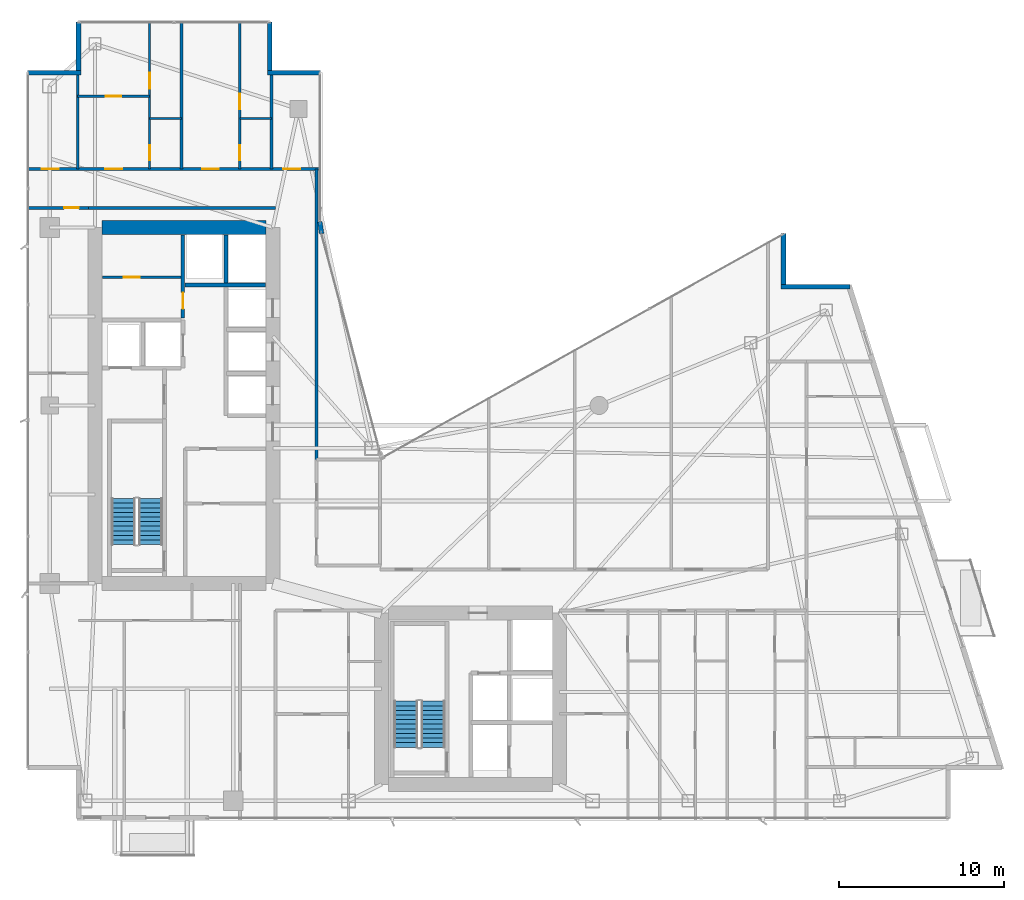
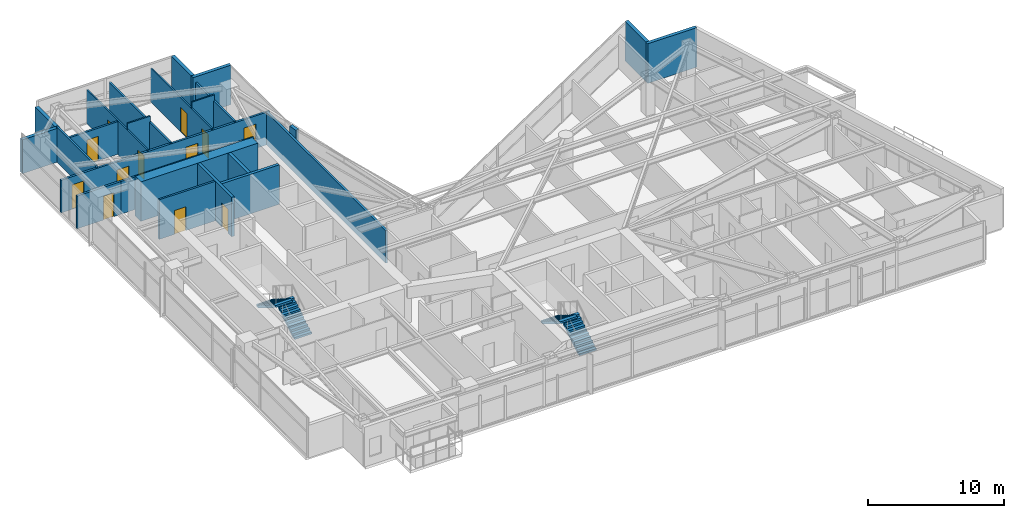
# One storey, part 25 of 28: 24 walls, 12 doors, 4 stair flights, 12 openings, 2 elements without a shape of their own.
"""IFC4 building model written with IfcOpenShell, lengths in metres."""

from ifc_helpers import new_model, si_unit, direction, frame, frame_2d, origin, place, context, subcontext, project, spatial, polyline, rectangle, outline, extrude, material, layer, layer_set, type_object, element, fill, aggregate, save


model = new_model("IFC4")

# Units and contexts
model_context = context("Model", 3, precision=1e-05, world=origin(), true_north=direction((0.0, 1.0)))
body_context = subcontext(model_context, "Body", "Model", "MODEL_VIEW")
ifc_project = project(units=[si_unit("LENGTHUNIT", "METRE"), si_unit("AREAUNIT", "SQUARE_METRE"), si_unit("VOLUMEUNIT", "CUBIC_METRE"), si_unit("PLANEANGLEUNIT", "RADIAN"), si_unit("MASSUNIT", "GRAM", prefix="KILO")], contexts=[model_context])

# Site, building, storey
site_placement = place(None, origin())
site = spatial("IfcSite", under=ifc_project, at=site_placement, CompositionType="ELEMENT")
building_placement = place(site_placement, origin())
building = spatial("IfcBuilding", under=site, at=building_placement, Name="Calvorn Quay Hotel", CompositionType="ELEMENT")
storey_placement = place(building_placement, frame((0.0, 0.0, 178.89990234375)))
storey = spatial("IfcBuildingStorey", under=building, at=storey_placement, Name="L44", CompositionType="ELEMENT", Elevation=178.89990234375)

# Wall
ifc_material_1 = material(Name="Concrete C50", Category="concrete")
ifc_layer_1 = layer(ifc_material_1, 0.85009765625)
ifc_layer_set_1 = layer_set([ifc_layer_1], Name="WL-CORE-850")
wall_type_1 = type_object("IfcWallType", Name="WL-CORE-850", PredefinedType="SHEAR", material=ifc_layer_set_1)
wall_1_placement = place(storey_placement, frame((4.625, 38.39990234375, 0.0), z_axis=(0.0, 0.0, 1.0), x_axis=(1.0, 0.0, 0.0)))
element("IfcWall", 1, at=wall_1_placement, inside=storey, type_object=wall_type_1, Name="West Core Shear Wall N (L44)", PredefinedType="SHEAR", context=body_context, shape_type="SweptSolid", body=[
    extrude(rectangle(XDim=9.949951171875, YDim=0.85009765625, at=frame_2d((4.97509765625, 0.0))), origin(), (0.0, 0.0, 1.0), 3.56005859375),
])

# Wall, opening, door
ifc_material_2 = material(Name="Acoustic Fireboard Steel-Stud Partition", Category="steel")
ifc_layer_2 = layer(ifc_material_2, 0.179931640625)
ifc_layer_set_2 = layer_set([ifc_layer_2], Name="WL-CORR-FIRE-180")
wall_type_2 = type_object("IfcWallType", Name="WL-CORR-FIRE-180", PredefinedType="PARTITIONING", material=ifc_layer_set_2)
wall_2_placement = place(storey_placement, frame((0.080078125, 39.60009765625, 0.0), z_axis=(0.0, 0.0, 1.0), x_axis=(1.0, 0.0, 0.0)))
wall_2 = element("IfcWall", 2, at=wall_2_placement, inside=storey, type_object=wall_type_2, Name="Partition Wall L44-WL-WBAY-N-DOOR", PredefinedType="PARTITIONING", context=body_context, shape_type="SweptSolid", body=[
    extrude(rectangle(XDim=3.724853515625, YDim=0.179931640625, at=frame_2d((1.8623046875, 0.0))), origin(), (0.0, 0.0, 1.0), 2.940185546875),
])
opening_1_placement = place(wall_2_placement, frame((2.25, 0.0, 0.0)))
opening_1 = element("IfcOpeningElement", 3, at=opening_1_placement, cuts=wall_2, Name="Opening D-L44-WBN", PredefinedType="OPENING", context=body_context, shape_type="SweptSolid", body=[
    extrude(rectangle(XDim=0.89990234375, YDim=2.14990234375, at=frame_2d((0.449951171875, 1.074951171875))), frame((0.0, 0.099853515625, 0.0), z_axis=(0.0, -1.0, 0.0), x_axis=(1.0, 0.0, 0.0)), (0.0, 0.0, 1.0), 0.199951171875),
])
ifc_material_3 = material(Name="Moisture-Sealed Timber En-Suite Door", Category="wood")
door_type_1 = type_object("IfcDoorType", Name="DR-ENSUITE-900", OperationType="NOTDEFINED", PredefinedType="DOOR", material=ifc_material_3)
door_1_placement = place(opening_1_placement, origin())
door_1 = element("IfcDoor", 4, at=door_1_placement, inside=storey, type_object=door_type_1, Name="West North Bay Door (L44)", OperationType="SINGLE_SWING_LEFT", OverallHeight=2.14990234375, OverallWidth=0.89990234375, PredefinedType="DOOR", context=body_context, shape_type="SweptSolid", body=[
    extrude(rectangle(XDim=0.89990234375, YDim=2.14990234375, at=frame_2d((0.449951171875, 1.074951171875))), frame((0.0, 0.02490234375, 0.0), z_axis=(0.0, -1.0, 0.0), x_axis=(1.0, 0.0, 0.0)), (0.0, 0.0, 1.0), 0.050048828125),
])
fill(opening_1, door_1)

# Wall, openings, doors
wall_3_placement = place(storey_placement, frame((0.080078125, 41.949951171875, 0.0), z_axis=(0.0, 0.0, 1.0), x_axis=(1.0, 0.0, 0.0)))
wall_3 = element("IfcWall", 5, at=wall_3_placement, inside=storey, type_object=wall_type_2, Name="Partition Wall L44-WL-CORR-NW-N", PredefinedType="PARTITIONING", context=body_context, shape_type="SweptSolid", body=[
    extrude(rectangle(XDim=17.77001953125, YDim=0.179931640625, at=frame_2d((8.885009765625, 0.0))), origin(), (0.0, 0.0, 1.0), 2.940185546875),
])
opening_2_placement = place(wall_3_placement, frame((0.89990234375, 0.0, 0.0)))
opening_2 = element("IfcOpeningElement", 6, at=opening_2_placement, cuts=wall_3, Name="Opening D-L44-NWW", PredefinedType="OPENING", context=body_context, shape_type="SweptSolid", body=[
    extrude(rectangle(XDim=1.02001953125, YDim=2.199951171875, at=frame_2d((0.510009765625, 1.10009765625))), frame((0.0, 0.099853515625, 0.0), z_axis=(0.0, -1.0, 0.0), x_axis=(1.0, 0.0, 0.0)), (0.0, 0.0, 1.0), 0.199951171875),
])
opening_3_placement = place(wall_3_placement, frame((4.75, 0.0, 0.0)))
opening_3 = element("IfcOpeningElement", 7, at=opening_3_placement, cuts=wall_3, Name="Opening D-L44-U03", PredefinedType="OPENING", context=body_context, shape_type="SweptSolid", body=[
    extrude(rectangle(XDim=1.02001953125, YDim=2.199951171875, at=frame_2d((0.510009765625, 1.10009765625))), frame((0.0, 0.099853515625, 0.0), z_axis=(0.0, -1.0, 0.0), x_axis=(1.0, 0.0, 0.0)), (0.0, 0.0, 1.0), 0.199951171875),
])
opening_4_placement = place(wall_3_placement, frame((10.6298828125, 0.0, 0.0)))
opening_4 = element("IfcOpeningElement", 8, at=opening_4_placement, cuts=wall_3, Name="Opening D-L44-U04", PredefinedType="OPENING", context=body_context, shape_type="SweptSolid", body=[
    extrude(rectangle(XDim=1.02001953125, YDim=2.199951171875, at=frame_2d((0.510009765625, 1.10009765625))), frame((0.0, 0.099853515625, 0.0), z_axis=(0.0, -1.0, 0.0), x_axis=(1.0, 0.0, 0.0)), (0.0, 0.0, 1.0), 0.199951171875),
])
opening_5_placement = place(wall_3_placement, frame((15.550048828125, 0.0, 0.0)))
opening_5 = element("IfcOpeningElement", 9, at=opening_5_placement, cuts=wall_3, Name="Opening D-L44-NWE", PredefinedType="OPENING", context=body_context, shape_type="SweptSolid", body=[
    extrude(rectangle(XDim=1.02001953125, YDim=2.199951171875, at=frame_2d((0.510009765625, 1.10009765625))), frame((0.0, 0.099853515625, 0.0), z_axis=(0.0, -1.0, 0.0), x_axis=(1.0, 0.0, 0.0)), (0.0, 0.0, 1.0), 0.199951171875),
])
ifc_material_4 = material(Name="Solid-Core Walnut Veneer Hotel Fire Door")
door_type_2 = type_object("IfcDoorType", Name="DR-GUEST-ENTRY-1020", OperationType="NOTDEFINED", PredefinedType="DOOR", material=ifc_material_4)
door_2_placement = place(opening_2_placement, origin())
door_2 = element("IfcDoor", 10, at=door_2_placement, inside=storey, type_object=door_type_2, Name="West Corner Study Door (L44)", OperationType="SINGLE_SWING_LEFT", OverallHeight=2.199951171875, OverallWidth=1.02001953125, PredefinedType="DOOR", context=body_context, shape_type="SweptSolid", body=[
    extrude(rectangle(XDim=1.02001953125, YDim=2.199951171875, at=frame_2d((0.510009765625, 1.10009765625))), frame((0.0, 0.02490234375, 0.0), z_axis=(0.0, -1.0, 0.0), x_axis=(1.0, 0.0, 0.0)), (0.0, 0.0, 1.0), 0.050048828125),
])
fill(opening_2, door_2)
door_3_placement = place(opening_3_placement, origin())
door_3 = element("IfcDoor", 11, at=door_3_placement, inside=storey, type_object=door_type_2, Name="North-West Unit Door U03 (L44)", OperationType="SINGLE_SWING_RIGHT", OverallHeight=2.199951171875, OverallWidth=1.02001953125, PredefinedType="DOOR", context=body_context, shape_type="SweptSolid", body=[
    extrude(rectangle(XDim=1.02001953125, YDim=2.199951171875, at=frame_2d((0.510009765625, 1.10009765625))), frame((0.0, 0.02490234375, 0.0), z_axis=(0.0, -1.0, 0.0), x_axis=(1.0, 0.0, 0.0)), (0.0, 0.0, 1.0), 0.050048828125),
])
fill(opening_3, door_3)
door_4_placement = place(opening_4_placement, origin())
door_4 = element("IfcDoor", 12, at=door_4_placement, inside=storey, type_object=door_type_2, Name="North-West Unit Door U04 (L44)", OperationType="SINGLE_SWING_LEFT", OverallHeight=2.199951171875, OverallWidth=1.02001953125, PredefinedType="DOOR", context=body_context, shape_type="SweptSolid", body=[
    extrude(rectangle(XDim=1.02001953125, YDim=2.199951171875, at=frame_2d((0.510009765625, 1.10009765625))), frame((0.0, 0.02490234375, 0.0), z_axis=(0.0, -1.0, 0.0), x_axis=(1.0, 0.0, 0.0)), (0.0, 0.0, 1.0), 0.050048828125),
])
fill(opening_4, door_4)
door_5_placement = place(opening_5_placement, origin())
door_5 = element("IfcDoor", 13, at=door_5_placement, inside=storey, type_object=door_type_2, Name="Inner Court Study Door (L44)", OperationType="SINGLE_SWING_RIGHT", OverallHeight=2.199951171875, OverallWidth=1.02001953125, PredefinedType="DOOR", context=body_context, shape_type="SweptSolid", body=[
    extrude(rectangle(XDim=1.02001953125, YDim=2.199951171875, at=frame_2d((0.510009765625, 1.10009765625))), frame((0.0, 0.02490234375, 0.0), z_axis=(0.0, -1.0, 0.0), x_axis=(1.0, 0.0, 0.0)), (0.0, 0.0, 1.0), 0.050048828125),
])
fill(opening_5, door_5)

# Walls
wall_4_placement = place(storey_placement, frame((17.64990234375, 24.300048828125, 0.0), z_axis=(0.0, 0.0, 1.0), x_axis=(0.0, 1.0, 0.0)))
element("IfcWall", 14, at=wall_4_placement, inside=storey, type_object=wall_type_2, Name="Partition Wall L44-WL-NW-CLOSURE-E", PredefinedType="PARTITIONING", context=body_context, shape_type="SweptSolid", body=[
    extrude(rectangle(XDim=17.64990234375, YDim=0.179931640625, at=frame_2d((8.824951171875, 0.0))), origin(), (0.0, 0.0, 1.0), 2.940185546875),
])
wall_5_placement = place(storey_placement, frame((3.7548828125, 39.60009765625, 0.0), z_axis=(0.0, 0.0, 1.0), x_axis=(1.0, 0.0, 0.0)))
element("IfcWall", 15, at=wall_5_placement, inside=storey, type_object=wall_type_2, Name="Partition Wall L44-WL-W-SPUR-S", PredefinedType="PARTITIONING", context=body_context, shape_type="SweptSolid", body=[
    extrude(rectangle(XDim=11.39501953125, YDim=0.179931640625, at=frame_2d((5.697509765625, 0.0))), origin(), (0.0, 0.0, 1.0), 2.940185546875),
])
ifc_material_5 = material(Name="Moisture-Resistant Tile-Backed Partition")
ifc_layer_3 = layer(ifc_material_5, 0.125)
ifc_layer_set_3 = layer_set([ifc_layer_3], Name="WL-ENSUITE-125")
wall_type_3 = type_object("IfcWallType", Name="WL-ENSUITE-125", PredefinedType="PARTITIONING", material=ifc_layer_set_3)
wall_6_placement = place(storey_placement, frame((7.52001953125, 45.02001953125, 0.0), z_axis=(0.0, 0.0, 1.0), x_axis=(1.0, 0.0, 0.0)))
element("IfcWall", 16, at=wall_6_placement, inside=storey, type_object=wall_type_3, Name="Partition Wall L44-WL-U03-BDV", PredefinedType="PARTITIONING", context=body_context, shape_type="SweptSolid", body=[
    extrude(rectangle(XDim=1.929931640625, YDim=0.125, at=frame_2d((0.96484375, 0.0))), origin(), (0.0, 0.0, 1.0), 3.56005859375),
])

# Wall, openings, doors
wall_7_placement = place(storey_placement, frame((7.52001953125, 41.949951171875, 0.0), z_axis=(0.0, 0.0, 1.0), x_axis=(0.0, 1.0, 0.0)))
wall_7 = element("IfcWall", 17, at=wall_7_placement, inside=storey, type_object=wall_type_3, Name="Partition Wall L44-WL-U03-BV", PredefinedType="PARTITIONING", context=body_context, shape_type="SweptSolid", body=[
    extrude(rectangle(XDim=8.989990234375, YDim=0.125, at=frame_2d((4.4951171875, 0.0))), origin(), (0.0, 0.0, 1.0), 3.0400390625),
])
opening_6_placement = place(wall_7_placement, frame((0.550048828125, 0.0, 0.0)))
opening_6 = element("IfcOpeningElement", 18, at=opening_6_placement, cuts=wall_7, Name="Opening D-L44-E03", PredefinedType="OPENING", context=body_context, shape_type="SweptSolid", body=[
    extrude(rectangle(XDim=0.89990234375, YDim=2.14990234375, at=frame_2d((0.449951171875, 1.074951171875))), frame((0.0, 0.072509765625, 0.0), z_axis=(0.0, -1.0, 0.0), x_axis=(1.0, 0.0, 0.0)), (0.0, 0.0, 1.0), 0.14501953125),
])
opening_7_placement = place(wall_7_placement, frame((4.8798828125, 0.0, 0.0)))
opening_7 = element("IfcOpeningElement", 19, at=opening_7_placement, cuts=wall_7, Name="Opening D-L44-S03", PredefinedType="OPENING", context=body_context, shape_type="SweptSolid", body=[
    extrude(rectangle(XDim=0.9599609375, YDim=2.199951171875, at=frame_2d((0.47998046875, 1.10009765625))), frame((0.0, 0.072509765625, 0.0), z_axis=(0.0, -1.0, 0.0), x_axis=(1.0, 0.0, 0.0)), (0.0, 0.0, 1.0), 0.14501953125),
])
door_6_placement = place(opening_6_placement, origin())
door_6 = element("IfcDoor", 20, at=door_6_placement, inside=storey, type_object=door_type_1, Name="En-Suite Door 03", OperationType="SINGLE_SWING_LEFT", OverallHeight=2.14990234375, OverallWidth=0.89990234375, PredefinedType="DOOR", context=body_context, shape_type="SweptSolid", body=[
    extrude(rectangle(XDim=0.89990234375, YDim=2.14990234375, at=frame_2d((0.449951171875, 1.074951171875))), frame((0.0, 0.02490234375, 0.0), z_axis=(0.0, -1.0, 0.0), x_axis=(1.0, 0.0, 0.0)), (0.0, 0.0, 1.0), 0.050048828125),
])
fill(opening_6, door_6)
ifc_material_6 = material(Name="Solid Timber Internal Suite Door", Category="wood")
door_type_3 = type_object("IfcDoorType", Name="DR-SUITE-INT-960", OperationType="NOTDEFINED", PredefinedType="DOOR", material=ifc_material_6)
door_7_placement = place(opening_7_placement, origin())
door_7 = element("IfcDoor", 21, at=door_7_placement, inside=storey, type_object=door_type_3, Name="Curated Resort Boutique Door 03", OperationType="SINGLE_SWING_RIGHT", OverallHeight=2.199951171875, OverallWidth=0.9599609375, PredefinedType="DOOR", context=body_context, shape_type="SweptSolid", body=[
    extrude(rectangle(XDim=0.9599609375, YDim=2.199951171875, at=frame_2d((0.47998046875, 1.10009765625))), frame((0.0, 0.02490234375, 0.0), z_axis=(0.0, -1.0, 0.0), x_axis=(1.0, 0.0, 0.0)), (0.0, 0.0, 1.0), 0.050048828125),
])
fill(opening_7, door_7)

# Wall
wall_8_placement = place(storey_placement, frame((12.989990234375, 45.02001953125, 0.0), z_axis=(0.0, 0.0, 1.0), x_axis=(1.0, 0.0, 0.0)))
element("IfcWall", 22, at=wall_8_placement, inside=storey, type_object=wall_type_3, Name="Partition Wall L44-WL-U04-BDV", PredefinedType="PARTITIONING", context=body_context, shape_type="SweptSolid", body=[
    extrude(rectangle(XDim=1.929931640625, YDim=0.125, at=frame_2d((0.96484375, 0.0))), origin(), (0.0, 0.0, 1.0), 3.56005859375),
])

# Wall, openings, doors
wall_9_placement = place(storey_placement, frame((12.989990234375, 41.949951171875, 0.0), z_axis=(0.0, 0.0, 1.0), x_axis=(0.0, 1.0, 0.0)))
wall_9 = element("IfcWall", 23, at=wall_9_placement, inside=storey, type_object=wall_type_3, Name="Partition Wall L44-WL-U04-BV", PredefinedType="PARTITIONING", context=body_context, shape_type="SweptSolid", body=[
    extrude(rectangle(XDim=8.989990234375, YDim=0.125, at=frame_2d((4.4951171875, 0.0))), origin(), (0.0, 0.0, 1.0), 3.0400390625),
])
opening_8_placement = place(wall_9_placement, frame((0.550048828125, 0.0, 0.0)))
opening_8 = element("IfcOpeningElement", 24, at=opening_8_placement, cuts=wall_9, Name="Opening D-L44-E04", PredefinedType="OPENING", context=body_context, shape_type="SweptSolid", body=[
    extrude(rectangle(XDim=0.89990234375, YDim=2.14990234375, at=frame_2d((0.449951171875, 1.074951171875))), frame((0.0, 0.072509765625, 0.0), z_axis=(0.0, -1.0, 0.0), x_axis=(1.0, 0.0, 0.0)), (0.0, 0.0, 1.0), 0.14501953125),
])
opening_9_placement = place(wall_9_placement, frame((3.6201171875, 0.0, 0.0)))
opening_9 = element("IfcOpeningElement", 25, at=opening_9_placement, cuts=wall_9, Name="Opening D-L44-S04", PredefinedType="OPENING", context=body_context, shape_type="SweptSolid", body=[
    extrude(rectangle(XDim=0.9599609375, YDim=2.199951171875, at=frame_2d((0.47998046875, 1.10009765625))), frame((0.0, 0.072509765625, 0.0), z_axis=(0.0, -1.0, 0.0), x_axis=(1.0, 0.0, 0.0)), (0.0, 0.0, 1.0), 0.14501953125),
])
door_8_placement = place(opening_8_placement, origin())
door_8 = element("IfcDoor", 26, at=door_8_placement, inside=storey, type_object=door_type_1, Name="En-Suite Door 04", OperationType="SINGLE_SWING_LEFT", OverallHeight=2.14990234375, OverallWidth=0.89990234375, PredefinedType="DOOR", context=body_context, shape_type="SweptSolid", body=[
    extrude(rectangle(XDim=0.89990234375, YDim=2.14990234375, at=frame_2d((0.449951171875, 1.074951171875))), frame((0.0, 0.02490234375, 0.0), z_axis=(0.0, -1.0, 0.0), x_axis=(1.0, 0.0, 0.0)), (0.0, 0.0, 1.0), 0.050048828125),
])
fill(opening_8, door_8)
door_9_placement = place(opening_9_placement, origin())
door_9 = element("IfcDoor", 27, at=door_9_placement, inside=storey, type_object=door_type_3, Name="Curated Resort Boutique Door 04", OperationType="SINGLE_SWING_RIGHT", OverallHeight=2.199951171875, OverallWidth=0.9599609375, PredefinedType="DOOR", context=body_context, shape_type="SweptSolid", body=[
    extrude(rectangle(XDim=0.9599609375, YDim=2.199951171875, at=frame_2d((0.47998046875, 1.10009765625))), frame((0.0, 0.02490234375, 0.0), z_axis=(0.0, -1.0, 0.0), x_axis=(1.0, 0.0, 0.0)), (0.0, 0.0, 1.0), 0.050048828125),
])
fill(opening_9, door_9)

# Walls
ifc_material_7 = material(Name="Concrete C40", Category="concrete")
ifc_layer_4 = layer(ifc_material_7, 0.320068359375)
ifc_layer_set_4 = layer_set([ifc_layer_4], Name="WL-EXT-SPANDREL-320")
wall_type_4 = type_object("IfcWallType", Name="WL-EXT-SPANDREL-320", PredefinedType="SOLIDWALL", material=ifc_layer_set_4)
wall_10_placement = place(storey_placement, frame((17.9619140625, 38.030029296875, 0.0), z_axis=(0.0, 0.0, 1.0), x_axis=(-0.15141125477, 0.988470855377, 0.0)))
element("IfcWall", 28, at=wall_10_placement, inside=storey, type_object=wall_type_4, Name="Inner Court Corner Pier L44-ICJ2", PredefinedType="SOLIDWALL", context=body_context, shape_type="SweptSolid", body=[
    extrude(rectangle(XDim=0.738525390625, YDim=0.280029296875, at=frame_2d((0.369140625, 0.0))), origin(), (0.0, 0.0, 1.0), 3.56005859375),
])
wall_11_placement = place(storey_placement, frame((50.0400390625, 34.800048828125, 0.0), z_axis=(0.0, 0.0, 1.0), x_axis=(-1.0, 0.0, 0.0)))
element("IfcWall", 29, at=wall_11_placement, inside=storey, type_object=wall_type_4, Name="Notched Corner Spandrel L44-NE1", PredefinedType="SOLIDWALL", context=body_context, shape_type="SweptSolid", body=[
    extrude(rectangle(XDim=4.179931640625, YDim=0.280029296875, at=frame_2d((2.08984375, 0.0))), origin(), (0.0, 0.0, 1.0), 3.56005859375),
])
wall_12_placement = place(storey_placement, frame((46.0, 34.93994140625, 0.0), z_axis=(0.0, 0.0, 1.0), x_axis=(0.0, 1.0, 0.0)))
element("IfcWall", 30, at=wall_12_placement, inside=storey, type_object=wall_type_4, Name="Notched Corner Spandrel L44-NE2", PredefinedType="SOLIDWALL", context=body_context, shape_type="SweptSolid", body=[
    extrude(rectangle(XDim=3.10009765625, YDim=0.280029296875, at=frame_2d((1.550048828125, 0.0))), origin(), (0.0, 0.0, 1.0), 3.56005859375),
])
wall_13_placement = place(storey_placement, frame((17.89990234375, 47.800048828125, 0.0), z_axis=(0.0, 0.0, 1.0), x_axis=(-1.0, 0.0, 0.0)))
element("IfcWall", 31, at=wall_13_placement, inside=storey, type_object=wall_type_4, Name="Notched Corner Spandrel L44-NWE1", PredefinedType="SOLIDWALL", context=body_context, shape_type="SweptSolid", body=[
    extrude(rectangle(XDim=3.239990234375, YDim=0.280029296875, at=frame_2d((1.6201171875, 0.0))), origin(), (0.0, 0.0, 1.0), 3.56005859375),
])
wall_14_placement = place(storey_placement, frame((14.800048828125, 47.93994140625, 0.0), z_axis=(0.0, 0.0, 1.0), x_axis=(0.0, 1.0, 0.0)))
element("IfcWall", 32, at=wall_14_placement, inside=storey, type_object=wall_type_4, Name="Notched Corner Spandrel L44-NWE2", PredefinedType="SOLIDWALL", context=body_context, shape_type="SweptSolid", body=[
    extrude(rectangle(XDim=2.93994140625, YDim=0.280029296875, at=frame_2d((1.469970703125, 0.0))), origin(), (0.0, 0.0, 1.0), 3.56005859375),
])
wall_15_placement = place(storey_placement, frame((3.199951171875, 50.8798828125, 0.0), z_axis=(0.0, 0.0, 1.0), x_axis=(0.0, -1.0, 0.0)))
element("IfcWall", 33, at=wall_15_placement, inside=storey, type_object=wall_type_4, Name="Notched Corner Spandrel L44-NW1", PredefinedType="SOLIDWALL", context=body_context, shape_type="SweptSolid", body=[
    extrude(rectangle(XDim=2.93994140625, YDim=0.280029296875, at=frame_2d((1.469970703125, 0.0))), origin(), (0.0, 0.0, 1.0), 3.0400390625),
])
wall_16_placement = place(storey_placement, frame((3.340087890625, 47.800048828125, 0.0), z_axis=(0.0, 0.0, 1.0), x_axis=(-1.0, 0.0, 0.0)))
element("IfcWall", 34, at=wall_16_placement, inside=storey, type_object=wall_type_4, Name="Notched Corner Spandrel L44-NW2", PredefinedType="SOLIDWALL", context=body_context, shape_type="SweptSolid", body=[
    extrude(rectangle(XDim=3.219970703125, YDim=0.280029296875, at=frame_2d((1.60986328125, 0.0))), origin(), (0.0, 0.0, 1.0), 3.0400390625),
])

# Wall, opening, door
ifc_material_8 = material(Name="Double-Stud Acoustic Gypsum Partition")
ifc_layer_5 = layer(ifc_material_8, 0.159912109375)
ifc_layer_set_5 = layer_set([ifc_layer_5], Name="WL-INTERSUITE-160")
wall_type_5 = type_object("IfcWallType", Name="WL-INTERSUITE-160", PredefinedType="PARTITIONING", material=ifc_layer_set_5)
wall_17_placement = place(storey_placement, frame((4.64501953125, 35.3798828125, 0.0), z_axis=(0.0, 0.0, 1.0), x_axis=(1.0, 0.0, 0.0)))
wall_17 = element("IfcWall", 35, at=wall_17_placement, inside=storey, type_object=wall_type_5, Name="Partition Wall L44-WL-CWW-K-MID", PredefinedType="PARTITIONING", context=body_context, shape_type="SweptSolid", body=[
    extrude(rectangle(XDim=4.77490234375, YDim=0.159912109375, at=frame_2d((2.387451171875, 0.0))), origin(), (0.0, 0.0, 1.0), 3.56005859375),
])
opening_10_placement = place(wall_17_placement, frame((1.300048828125, 0.0, 0.0)))
opening_10 = element("IfcOpeningElement", 36, at=opening_10_placement, cuts=wall_17, Name="Opening D-L44-CK2", PredefinedType="OPENING", context=body_context, shape_type="SweptSolid", body=[
    extrude(rectangle(XDim=0.97998046875, YDim=2.14990234375, at=frame_2d((0.489990234375, 1.074951171875))), frame((0.0, 0.08984375, 0.0), z_axis=(0.0, -1.0, 0.0), x_axis=(1.0, 0.0, 0.0)), (0.0, 0.0, 1.0), 0.179931640625),
])
ifc_material_9 = material(Name="Painted Steel Housekeeping/Riser Fire Door", Category="steel")
door_type_4 = type_object("IfcDoorType", Name="DR-SERVICE-980", OperationType="NOTDEFINED", PredefinedType="DOOR", material=ifc_material_9)
door_10_placement = place(opening_10_placement, origin())
door_10 = element("IfcDoor", 37, at=door_10_placement, inside=storey, type_object=door_type_4, Name="Electrical Riser Door (L44)", OperationType="SINGLE_SWING_RIGHT", OverallHeight=2.14990234375, OverallWidth=0.97998046875, PredefinedType="DOOR", context=body_context, shape_type="SweptSolid", body=[
    extrude(rectangle(XDim=0.97998046875, YDim=2.14990234375, at=frame_2d((0.489990234375, 1.074951171875))), frame((0.0, 0.02490234375, 0.0), z_axis=(0.0, -1.0, 0.0), x_axis=(1.0, 0.0, 0.0)), (0.0, 0.0, 1.0), 0.050048828125),
])
fill(opening_10, door_10)

# Walls
wall_18_placement = place(storey_placement, frame((3.14990234375, 41.949951171875, 0.0), z_axis=(0.0, 0.0, 1.0), x_axis=(0.0, 1.0, 0.0)))
element("IfcWall", 38, at=wall_18_placement, inside=storey, type_object=wall_type_5, Name="Partition Wall L44-WL-NW-DIV-W0", PredefinedType="PARTITIONING", context=body_context, shape_type="SweptSolid", body=[
    extrude(rectangle(XDim=5.85009765625, YDim=0.159912109375, at=frame_2d((2.925048828125, 0.0))), origin(), (0.0, 0.0, 1.0), 3.14013671875),
])
wall_19_placement = place(storey_placement, frame((14.919921875, 41.949951171875, 0.0), z_axis=(0.0, 0.0, 1.0), x_axis=(0.0, 1.0, 0.0)))
element("IfcWall", 39, at=wall_19_placement, inside=storey, type_object=wall_type_5, Name="Partition Wall L44-WL-NW-DIV-E0", PredefinedType="PARTITIONING", context=body_context, shape_type="SweptSolid", body=[
    extrude(rectangle(XDim=5.85009765625, YDim=0.159912109375, at=frame_2d((2.925048828125, 0.0))), origin(), (0.0, 0.0, 1.0), 3.0400390625),
])

# Wall, opening, door
wall_20_placement = place(storey_placement, frame((3.14990234375, 46.3798828125, 0.0), z_axis=(0.0, 0.0, 1.0), x_axis=(1.0, 0.0, 0.0)))
wall_20 = element("IfcWall", 40, at=wall_20_placement, inside=storey, type_object=wall_type_5, Name="Partition Wall L44-WL-U03-MSP", PredefinedType="PARTITIONING", context=body_context, shape_type="SweptSolid", body=[
    extrude(rectangle(XDim=4.3701171875, YDim=0.159912109375, at=frame_2d((2.18505859375, 0.0))), origin(), (0.0, 0.0, 1.0), 2.940185546875),
])
opening_11_placement = place(wall_20_placement, frame((1.699951171875, 0.0, 0.0)))
opening_11 = element("IfcOpeningElement", 41, at=opening_11_placement, cuts=wall_20, Name="Opening D-L44-M03", PredefinedType="OPENING", context=body_context, shape_type="SweptSolid", body=[
    extrude(rectangle(XDim=0.9599609375, YDim=2.199951171875, at=frame_2d((0.47998046875, 1.10009765625))), frame((0.0, 0.08984375, 0.0), z_axis=(0.0, -1.0, 0.0), x_axis=(1.0, 0.0, 0.0)), (0.0, 0.0, 1.0), 0.179931640625),
])
door_11_placement = place(opening_11_placement, origin())
door_11 = element("IfcDoor", 42, at=door_11_placement, inside=storey, type_object=door_type_3, Name="Suite Bedroom Door 03", OperationType="SINGLE_SWING_LEFT", OverallHeight=2.199951171875, OverallWidth=0.9599609375, PredefinedType="DOOR", context=body_context, shape_type="SweptSolid", body=[
    extrude(rectangle(XDim=0.9599609375, YDim=2.199951171875, at=frame_2d((0.47998046875, 1.10009765625))), frame((0.0, 0.02490234375, 0.0), z_axis=(0.0, -1.0, 0.0), x_axis=(1.0, 0.0, 0.0)), (0.0, 0.0, 1.0), 0.050048828125),
])
fill(opening_11, door_11)

# Wall
wall_21_placement = place(storey_placement, frame((9.449951171875, 41.949951171875, 0.0), z_axis=(0.0, 0.0, 1.0), x_axis=(0.0, 1.0, 0.0)))
element("IfcWall", 43, at=wall_21_placement, inside=storey, type_object=wall_type_5, Name="Partition Wall L44-WL-NW-DIV-1", PredefinedType="PARTITIONING", context=body_context, shape_type="SweptSolid", body=[
    extrude(rectangle(XDim=8.989990234375, YDim=0.159912109375, at=frame_2d((4.4951171875, 0.0))), origin(), (0.0, 0.0, 1.0), 3.0400390625),
])

# Wall, opening, door
ifc_material_10 = material(Name="Autoclaved Aerated Masonry Block", Category="masonry")
ifc_layer_6 = layer(ifc_material_10, 0.219970703125)
ifc_layer_set_6 = layer_set([ifc_layer_6], Name="WL-LOBBY-FIRE-220")
wall_type_6 = type_object("IfcWallType", Name="WL-LOBBY-FIRE-220", PredefinedType="SOLIDWALL", material=ifc_layer_set_6)
wall_22_placement = place(storey_placement, frame((9.5400390625, 32.919921875, 0.0), z_axis=(0.0, 0.0, 1.0), x_axis=(0.0, 1.0, 0.0)))
wall_22 = element("IfcWall", 44, at=wall_22_placement, inside=storey, type_object=wall_type_6, Name="Partition Wall L44-WL-CWW-K-E", PredefinedType="SOLIDWALL", context=body_context, shape_type="SweptSolid", body=[
    extrude(rectangle(XDim=5.03515625, YDim=0.219970703125, at=frame_2d((2.517578125, 0.0))), origin(), (0.0, 0.0, 1.0), 3.56005859375),
])
opening_12_placement = place(wall_22_placement, frame((0.550048828125, 0.0, 0.0)))
opening_12 = element("IfcOpeningElement", 45, at=opening_12_placement, cuts=wall_22, Name="Opening D-L44-CK1", PredefinedType="OPENING", context=body_context, shape_type="SweptSolid", body=[
    extrude(rectangle(XDim=0.97998046875, YDim=2.14990234375, at=frame_2d((0.489990234375, 1.074951171875))), frame((0.0, 0.119873046875, 0.0), z_axis=(0.0, -1.0, 0.0), x_axis=(1.0, 0.0, 0.0)), (0.0, 0.0, 1.0), 0.239990234375),
])
door_12_placement = place(opening_12_placement, origin())
door_12 = element("IfcDoor", 46, at=door_12_placement, inside=storey, type_object=door_type_4, Name="Core Housekeeping Door (L44)", OperationType="SINGLE_SWING_LEFT", OverallHeight=2.14990234375, OverallWidth=0.97998046875, PredefinedType="DOOR", context=body_context, shape_type="SweptSolid", body=[
    extrude(rectangle(XDim=0.97998046875, YDim=2.14990234375, at=frame_2d((0.489990234375, 1.074951171875))), frame((0.0, 0.02490234375, 0.0), z_axis=(0.0, -1.0, 0.0), x_axis=(1.0, 0.0, 0.0)), (0.0, 0.0, 1.0), 0.050048828125),
])
fill(opening_12, door_12)

# Walls
ifc_material_11 = material(Name="Concrete C40", Category="concrete")
ifc_layer_7 = layer(ifc_material_11, 0.239990234375)
ifc_layer_set_7 = layer_set([ifc_layer_7], Name="WL-SHAFT-240")
wall_type_7 = type_object("IfcWallType", Name="WL-SHAFT-240", PredefinedType="SOLIDWALL", material=ifc_layer_set_7)
wall_23_placement = place(storey_placement, frame((9.659912109375, 34.89990234375, 0.0), z_axis=(0.0, 0.0, 1.0), x_axis=(1.0, 0.0, 0.0)))
element("IfcWall", 47, at=wall_23_placement, inside=storey, type_object=wall_type_7, Name="Partition Wall L44-WL-CWW-PLH-S", PredefinedType="SOLIDWALL", context=body_context, shape_type="SweptSolid", body=[
    extrude(rectangle(XDim=4.89501953125, YDim=0.239990234375, at=frame_2d((2.447509765625, 0.0))), origin(), (0.0, 0.0, 1.0), 3.56005859375),
])
wall_24_placement = place(storey_placement, frame((12.14990234375, 35.02001953125, 0.0), z_axis=(0.0, 0.0, 1.0), x_axis=(0.0, 1.0, 0.0)))
element("IfcWall", 48, at=wall_24_placement, inside=storey, type_object=wall_type_7, Name="Partition Wall L44-WL-CWW-PLH-DIV", PredefinedType="SOLIDWALL", context=body_context, shape_type="SweptSolid", body=[
    extrude(rectangle(XDim=2.93505859375, YDim=0.239990234375, at=frame_2d((1.467529296875, 0.0))), origin(), (0.0, 0.0, 1.0), 3.56005859375),
])

# Stair, stair flights
ifc_material_12 = material(Name="Concrete C40", Category="concrete")
stair_type = type_object("IfcStairType", Name="STR-CORE-DOGLEG", PredefinedType="HALF_TURN_STAIR", material=ifc_material_12)
stair_1_placement = place(storey_placement, origin())
stair_1 = element("IfcStair", 49, at=stair_1_placement, inside=storey, type_object=stair_type, Name="L44 ST-W", PredefinedType="HALF_TURN_STAIR")
ifc_material_13 = material(Name="Concrete C40", Category="concrete")
stair_flight_type = type_object("IfcStairFlightType", Name="FLT-CORE-1550", PredefinedType="STRAIGHT", material=ifc_material_13)
stair_flight_1_placement = place(storey_placement, frame((7.574951171875, 19.14990234375, 0.0), z_axis=(0.0, 0.0, 1.0), x_axis=(0.0, 1.0, 0.0)))
stair_flight_1 = element("IfcStairFlight", 50, at=stair_flight_1_placement, type_object=stair_flight_type, Name="ST-W flight 1", NumberOfRisers=11, NumberOfTreads=10, PredefinedType="STRAIGHT", RiserHeight=0.172727273, TreadLength=0.28, context=body_context, shape_type="SweptSolid", body=[
    extrude(outline(polyline([(0.0, 0.0), (0.0, 0.172607421875), (0.280029296875, 0.172607421875), (0.280029296875, 0.345458984375), (0.56005859375, 0.345458984375), (0.56005859375, 0.51806640625), (0.840087890625, 0.51806640625), (0.840087890625, 0.69091796875), (1.1201171875, 0.69091796875), (1.1201171875, 0.863525390625), (1.39990234375, 0.863525390625), (1.39990234375, 1.036376953125), (1.679931640625, 1.036376953125), (1.679931640625, 1.208984375), (1.9599609375, 1.208984375), (1.9599609375, 1.3818359375), (2.239990234375, 1.3818359375), (2.239990234375, 1.554443359375), (2.52001953125, 1.554443359375), (2.52001953125, 1.727294921875), (2.800048828125, 1.727294921875), (2.800048828125, 1.89990234375), (2.800048828125, 1.551025390625), (0.285400390625, 0.0), (0.0, 0.0)])), frame((0.0, 0.72509765625, 0.0), z_axis=(0.0, -1.0, 0.0), x_axis=(1.0, 0.0, 0.0)), (0.0, 0.0, 1.0), 1.449951171875),
])
stair_flight_2_placement = place(storey_placement, frame((5.925048828125, 21.949951171875, 1.900146484375), z_axis=(0.0, 0.0, 1.0), x_axis=(0.0, -1.0, 0.0)))
stair_flight_2 = element("IfcStairFlight", 51, at=stair_flight_2_placement, type_object=stair_flight_type, Name="ST-W flight 2", NumberOfRisers=11, NumberOfTreads=10, PredefinedType="STRAIGHT", RiserHeight=0.172727273, TreadLength=0.28, context=body_context, shape_type="SweptSolid", body=[
    extrude(outline(polyline([(0.0, 0.0), (0.0, 0.172607421875), (0.280029296875, 0.172607421875), (0.280029296875, 0.345458984375), (0.56005859375, 0.345458984375), (0.56005859375, 0.51806640625), (0.840087890625, 0.51806640625), (0.840087890625, 0.69091796875), (1.1201171875, 0.69091796875), (1.1201171875, 0.863525390625), (1.39990234375, 0.863525390625), (1.39990234375, 1.036376953125), (1.679931640625, 1.036376953125), (1.679931640625, 1.208984375), (1.9599609375, 1.208984375), (1.9599609375, 1.3818359375), (2.239990234375, 1.3818359375), (2.239990234375, 1.554443359375), (2.52001953125, 1.554443359375), (2.52001953125, 1.727294921875), (2.800048828125, 1.727294921875), (2.800048828125, 1.89990234375), (2.800048828125, 1.551025390625), (0.285400390625, 0.0), (0.0, 0.0)])), frame((0.0, 0.72509765625, 0.0), z_axis=(0.0, -1.0, 0.0), x_axis=(1.0, 0.0, 0.0)), (0.0, 0.0, 1.0), 1.449951171875),
])
aggregate(stair_1, [stair_flight_1, stair_flight_2])

stair_2_placement = place(storey_placement, origin())
stair_2 = element("IfcStair", 52, at=stair_2_placement, inside=storey, type_object=stair_type, Name="L44 ST-E", PredefinedType="HALF_TURN_STAIR")
stair_flight_3_placement = place(storey_placement, frame((24.72509765625, 6.85009765625, 0.0), z_axis=(0.0, 0.0, 1.0), x_axis=(0.0, 1.0, 0.0)))
stair_flight_3 = element("IfcStairFlight", 53, at=stair_flight_3_placement, type_object=stair_flight_type, Name="ST-E flight 1", NumberOfRisers=11, NumberOfTreads=10, PredefinedType="STRAIGHT", RiserHeight=0.172727273, TreadLength=0.28, context=body_context, shape_type="SweptSolid", body=[
    extrude(outline(polyline([(0.0, 0.0), (0.0, 0.172607421875), (0.280029296875, 0.172607421875), (0.280029296875, 0.345458984375), (0.56005859375, 0.345458984375), (0.56005859375, 0.51806640625), (0.840087890625, 0.51806640625), (0.840087890625, 0.69091796875), (1.1201171875, 0.69091796875), (1.1201171875, 0.863525390625), (1.39990234375, 0.863525390625), (1.39990234375, 1.036376953125), (1.679931640625, 1.036376953125), (1.679931640625, 1.208984375), (1.9599609375, 1.208984375), (1.9599609375, 1.3818359375), (2.239990234375, 1.3818359375), (2.239990234375, 1.554443359375), (2.52001953125, 1.554443359375), (2.52001953125, 1.727294921875), (2.800048828125, 1.727294921875), (2.800048828125, 1.89990234375), (2.800048828125, 1.551025390625), (0.285400390625, 0.0), (0.0, 0.0)])), frame((0.0, 0.72509765625, 0.0), z_axis=(0.0, -1.0, 0.0), x_axis=(1.0, 0.0, 0.0)), (0.0, 0.0, 1.0), 1.449951171875),
])
stair_flight_4_placement = place(storey_placement, frame((23.074951171875, 9.64990234375, 1.900146484375), z_axis=(0.0, 0.0, 1.0), x_axis=(0.0, -1.0, 0.0)))
stair_flight_4 = element("IfcStairFlight", 54, at=stair_flight_4_placement, type_object=stair_flight_type, Name="ST-E flight 2", NumberOfRisers=11, NumberOfTreads=10, PredefinedType="STRAIGHT", RiserHeight=0.172727273, TreadLength=0.28, context=body_context, shape_type="SweptSolid", body=[
    extrude(outline(polyline([(0.0, 0.0), (0.0, 0.172607421875), (0.280029296875, 0.172607421875), (0.280029296875, 0.345458984375), (0.56005859375, 0.345458984375), (0.56005859375, 0.51806640625), (0.840087890625, 0.51806640625), (0.840087890625, 0.69091796875), (1.1201171875, 0.69091796875), (1.1201171875, 0.863525390625), (1.39990234375, 0.863525390625), (1.39990234375, 1.036376953125), (1.679931640625, 1.036376953125), (1.679931640625, 1.208984375), (1.9599609375, 1.208984375), (1.9599609375, 1.3818359375), (2.239990234375, 1.3818359375), (2.239990234375, 1.554443359375), (2.52001953125, 1.554443359375), (2.52001953125, 1.727294921875), (2.800048828125, 1.727294921875), (2.800048828125, 1.89990234375), (2.800048828125, 1.551025390625), (0.285400390625, 0.0), (0.0, 0.0)])), frame((0.0, 0.72509765625, 0.0), z_axis=(0.0, -1.0, 0.0), x_axis=(1.0, 0.0, 0.0)), (0.0, 0.0, 1.0), 1.449951171875),
])
aggregate(stair_2, [stair_flight_3, stair_flight_4])

save(model, "model.ifc")
